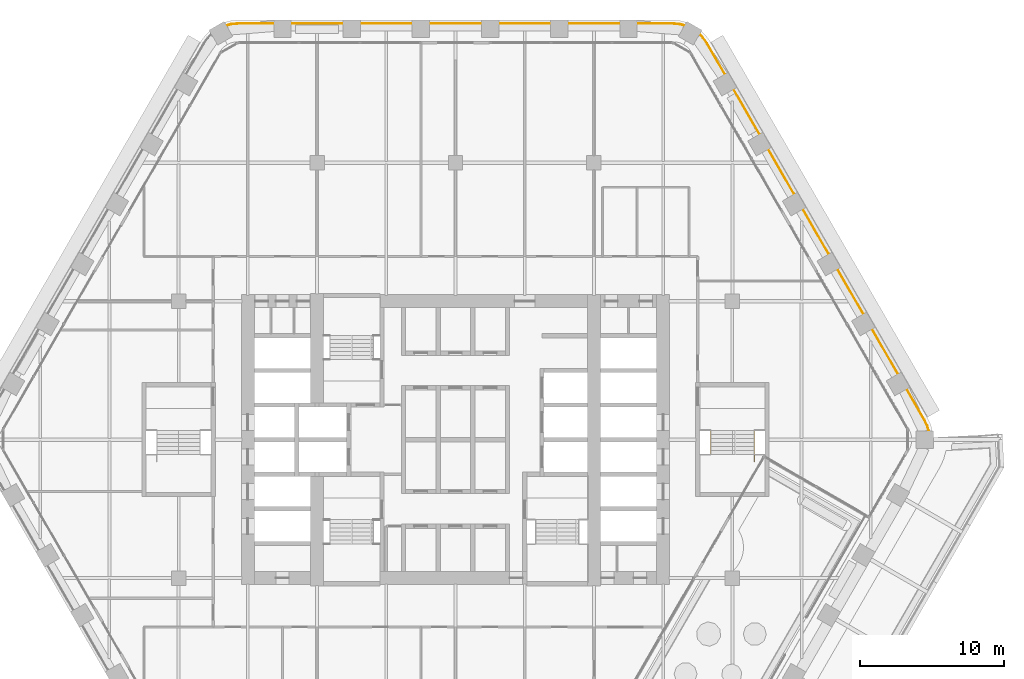
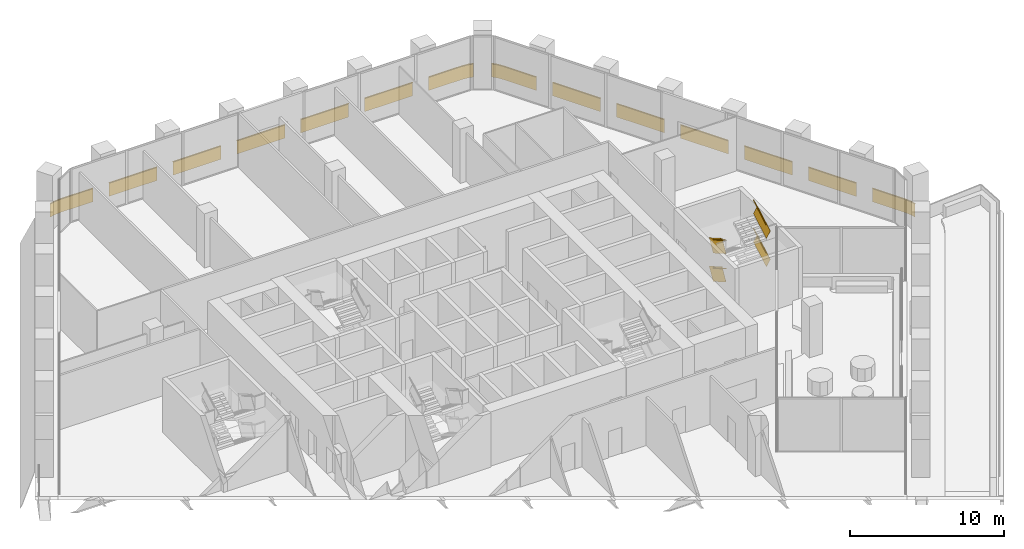
# One storey, part 25 of 25: 3 railings.
"""IFC4 building model written with IfcOpenShell, lengths in metres."""

from ifc_helpers import new_model, si_unit, direction, frame, frame_2d, origin, origin_2d, place, context, subcontext, project, spatial, rectangle, extrude, material, type_object, element, save


model = new_model("IFC4")

# Units and contexts
model_context = context("Model", 3, precision=1e-05, world=origin(), true_north=direction((0.0, 1.0)))
body_context = subcontext(model_context, "Body", "Model", "MODEL_VIEW")
ifc_project = project(units=[si_unit("LENGTHUNIT", "METRE"), si_unit("AREAUNIT", "SQUARE_METRE"), si_unit("VOLUMEUNIT", "CUBIC_METRE"), si_unit("PLANEANGLEUNIT", "RADIAN"), si_unit("MASSUNIT", "GRAM", prefix="KILO")], contexts=[model_context])

# Site, building, storey
site_placement = place(None, origin())
site = spatial("IfcSite", under=ifc_project, at=site_placement, CompositionType="ELEMENT")
building_placement = place(site_placement, origin())
building = spatial("IfcBuilding", under=site, at=building_placement, Name="Kolab Exchange Tower", CompositionType="ELEMENT")
storey_placement = place(building_placement, frame((0.0, 0.0, 91.39990234375)))
storey = spatial("IfcBuildingStorey", under=building, at=storey_placement, Name="L17", CompositionType="ELEMENT", Elevation=91.39990234375)

# Railings
ifc_material_1 = material(Name="Stainless steel 316", Category="steel")
railing_type_1 = type_object("IfcRailingType", Name="GUARD 1100", PredefinedType="GUARDRAIL", material=ifc_material_1)
railing_1_placement = place(storey_placement, frame((17.68994140625, 0.64990234375, 0.160888671875)))
element("IfcRailing", 1, at=railing_1_placement, inside=storey, type_object=railing_type_1, Name="Handrail guard ST4", PredefinedType="GUARDRAIL", context=body_context, shape_type="SweptSolid", body=[
    extrude(rectangle(XDim=0.05, YDim=0.05, at=origin_2d()), frame((0.0, 0.0, 1.0751953125), z_axis=(0.0, -0.867318599139, 0.497753400378), x_axis=(1.0, 0.0, 0.0)), (0.0, 0.0, 1.0), 1.93701171875),
    extrude(rectangle(XDim=0.012, YDim=1.05009765625, at=frame_2d((0.0, 0.525146484375))), frame((0.0, 0.0, 0.0), z_axis=(0.0, -0.867318599139, 0.497753400378), x_axis=(1.0, 0.0, 0.0)), (0.0, 0.0, 1.0), 1.93701171875),
    extrude(rectangle(XDim=0.05, YDim=0.05, at=origin_2d()), frame((3.02001953125, -1.679931640625, 2.2001953125), z_axis=(0.0, 0.867318599139, 0.497753400378), x_axis=(-1.0, 0.0, 0.0)), (0.0, 0.0, 1.0), 1.93701171875),
    extrude(rectangle(XDim=0.012, YDim=1.05009765625, at=frame_2d((0.0, 0.525146484375))), frame((3.02001953125, -1.679931640625, 1.125), z_axis=(0.0, 0.867318599139, 0.497753400378), x_axis=(-1.0, 0.0, 0.0)), (0.0, 0.0, 1.0), 1.93701171875),
    extrude(rectangle(XDim=0.05, YDim=0.05, at=origin_2d()), frame((0.0, 0.0, 3.3251953125), z_axis=(0.0, -0.867318599139, 0.497753400378), x_axis=(1.0, 0.0, 0.0)), (0.0, 0.0, 1.0), 1.93701171875),
    extrude(rectangle(XDim=0.012, YDim=1.05009765625, at=frame_2d((0.0, 0.525146484375))), frame((0.0, 0.0, 2.25), z_axis=(0.0, -0.867318599139, 0.497753400378), x_axis=(1.0, 0.0, 0.0)), (0.0, 0.0, 1.0), 1.93701171875),
    extrude(rectangle(XDim=0.05, YDim=0.05, at=origin_2d()), frame((3.02001953125, -1.679931640625, 4.4501953125), z_axis=(0.0, 0.867318599139, 0.497753400378), x_axis=(-1.0, 0.0, 0.0)), (0.0, 0.0, 1.0), 1.93701171875),
    extrude(rectangle(XDim=0.012, YDim=1.05009765625, at=frame_2d((0.0, 0.525146484375))), frame((3.02001953125, -1.679931640625, 3.375), z_axis=(0.0, 0.867318599139, 0.497753400378), x_axis=(-1.0, 0.0, 0.0)), (0.0, 0.0, 1.0), 1.93701171875),
])
ifc_material_2 = material(Name="Steel S235", Category="steel")
railing_type_2 = type_object("IfcRailingType", Name="GUARD 1100 GLASS BALUSTRADE AND STEEL TOP RAIL", PredefinedType="GUARDRAIL", material=ifc_material_2)
railing_2_placement = place(storey_placement, frame((15.89208984375, 28.7138671875, 0.0)))
element("IfcRailing", 2, at=railing_2_placement, inside=storey, type_object=railing_type_2, Name="Guard", PredefinedType="GUARDRAIL", context=body_context, shape_type="SweptSolid", body=[
    extrude(rectangle(XDim=0.05, YDim=0.05, at=origin_2d()), frame((0.0, 0.0, 1.0751953125), z_axis=(-0.966008746817, 0.258509382951, 0.0), x_axis=(-0.258509382951, -0.966008746817, 0.0)), (0.0, 0.0, 1.0), 0.35888671875),
    extrude(rectangle(XDim=0.012, YDim=1.05009765625, at=frame_2d((0.0, 0.525146484375))), frame((0.0, 0.0, 0.0), z_axis=(-0.966008746817, 0.258509382951, 0.0), x_axis=(-0.258509382951, -0.966008746817, 0.0)), (0.0, 0.0, 1.0), 0.35888671875),
    extrude(rectangle(XDim=0.05, YDim=0.05, at=origin_2d()), frame((-0.3466796875, 0.0927734375, 1.0751953125), z_axis=(-0.996200348447, 0.087091134757, 0.0), x_axis=(-0.087091134757, -0.996200348447, 0.0)), (0.0, 0.0, 1.0), 0.479248046875),
    extrude(rectangle(XDim=0.012, YDim=1.05009765625, at=frame_2d((0.0, 0.525146484375))), frame((-0.3466796875, 0.0927734375, 0.0), z_axis=(-0.996200348447, 0.087091134757, 0.0), x_axis=(-0.087091134757, -0.996200348447, 0.0)), (0.0, 0.0, 1.0), 0.479248046875),
    extrude(rectangle(XDim=0.05, YDim=0.05, at=origin_2d()), frame((-0.82421875, 0.134521484375, 1.0751953125), z_axis=(-1.0, 0.0, 0.0), x_axis=(0.0, -1.0, 0.0)), (0.0, 0.0, 1.0), 2.4677734375),
    extrude(rectangle(XDim=0.012, YDim=1.05009765625, at=frame_2d((0.0, 0.525146484375))), frame((-0.82421875, 0.134521484375, 0.0), z_axis=(-1.0, 0.0, 0.0), x_axis=(0.0, -1.0, 0.0)), (0.0, 0.0, 1.0), 2.4677734375),
    extrude(rectangle(XDim=0.05, YDim=0.05, at=origin_2d()), frame((-4.4921875, 0.134521484375, 1.0751953125), z_axis=(-1.0, 0.0, 0.0), x_axis=(0.0, -1.0, 0.0)), (0.0, 0.0, 1.0), 3.599853515625),
    extrude(rectangle(XDim=0.012, YDim=1.05009765625, at=frame_2d((0.0, 0.525146484375))), frame((-4.4921875, 0.134521484375, 0.0), z_axis=(-1.0, 0.0, 0.0), x_axis=(0.0, -1.0, 0.0)), (0.0, 0.0, 1.0), 3.599853515625),
    extrude(rectangle(XDim=0.05, YDim=0.05, at=origin_2d()), frame((-9.2919921875, 0.134521484375, 1.0751953125), z_axis=(-1.0, 0.0, 0.0), x_axis=(0.0, -1.0, 0.0)), (0.0, 0.0, 1.0), 3.60009765625),
    extrude(rectangle(XDim=0.012, YDim=1.05009765625, at=frame_2d((0.0, 0.525146484375))), frame((-9.2919921875, 0.134521484375, 0.0), z_axis=(-1.0, 0.0, 0.0), x_axis=(0.0, -1.0, 0.0)), (0.0, 0.0, 1.0), 3.60009765625),
    extrude(rectangle(XDim=0.05, YDim=0.05, at=origin_2d()), frame((-14.092041015625, 0.134521484375, 1.0751953125), z_axis=(-1.0, 0.0, 0.0), x_axis=(0.0, -1.0, 0.0)), (0.0, 0.0, 1.0), 3.60009765625),
    extrude(rectangle(XDim=0.012, YDim=1.05009765625, at=frame_2d((0.0, 0.525146484375))), frame((-14.092041015625, 0.134521484375, 0.0), z_axis=(-1.0, 0.0, 0.0), x_axis=(0.0, -1.0, 0.0)), (0.0, 0.0, 1.0), 3.60009765625),
    extrude(rectangle(XDim=0.05, YDim=0.05, at=origin_2d()), frame((-18.89208984375, 0.134521484375, 1.0751953125), z_axis=(-1.0, 0.0, 0.0), x_axis=(0.0, -1.0, 0.0)), (0.0, 0.0, 1.0), 3.60009765625),
    extrude(rectangle(XDim=0.012, YDim=1.05009765625, at=frame_2d((0.0, 0.525146484375))), frame((-18.89208984375, 0.134521484375, 0.0), z_axis=(-1.0, 0.0, 0.0), x_axis=(0.0, -1.0, 0.0)), (0.0, 0.0, 1.0), 3.60009765625),
    extrude(rectangle(XDim=0.05, YDim=0.05, at=origin_2d()), frame((-23.692138671875, 0.134521484375, 1.0751953125), z_axis=(-1.0, 0.0, 0.0), x_axis=(0.0, -1.0, 0.0)), (0.0, 0.0, 1.0), 3.599853515625),
    extrude(rectangle(XDim=0.012, YDim=1.05009765625, at=frame_2d((0.0, 0.525146484375))), frame((-23.692138671875, 0.134521484375, 0.0), z_axis=(-1.0, 0.0, 0.0), x_axis=(0.0, -1.0, 0.0)), (0.0, 0.0, 1.0), 3.599853515625),
    extrude(rectangle(XDim=0.05, YDim=0.05, at=origin_2d()), frame((-28.4921875, 0.134521484375, 1.0751953125), z_axis=(-1.0, 0.0, 0.0), x_axis=(0.0, -1.0, 0.0)), (0.0, 0.0, 1.0), 2.4677734375),
    extrude(rectangle(XDim=0.012, YDim=1.05009765625, at=frame_2d((0.0, 0.525146484375))), frame((-28.4921875, 0.134521484375, 0.0), z_axis=(-1.0, 0.0, 0.0), x_axis=(0.0, -1.0, 0.0)), (0.0, 0.0, 1.0), 2.4677734375),
    extrude(rectangle(XDim=0.05, YDim=0.05, at=origin_2d()), frame((-30.9599609375, 0.134521484375, 1.0751953125), z_axis=(-0.996200348447, -0.087091134757, 0.0), x_axis=(0.087091134757, -0.996200348447, 0.0)), (0.0, 0.0, 1.0), 0.479248046875),
    extrude(rectangle(XDim=0.012, YDim=1.05009765625, at=frame_2d((0.0, 0.525146484375))), frame((-30.9599609375, 0.134521484375, 0.0), z_axis=(-0.996200348447, -0.087091134757, 0.0), x_axis=(0.087091134757, -0.996200348447, 0.0)), (0.0, 0.0, 1.0), 0.479248046875),
    extrude(rectangle(XDim=0.05, YDim=0.05, at=origin_2d()), frame((-31.4375, 0.0927734375, 1.0751953125), z_axis=(-0.966008746817, -0.258509382951, 0.0), x_axis=(0.258509382951, -0.966008746817, 0.0)), (0.0, 0.0, 1.0), 0.35888671875),
    extrude(rectangle(XDim=0.012, YDim=1.05009765625, at=frame_2d((0.0, 0.525146484375))), frame((-31.4375, 0.0927734375, 0.0), z_axis=(-0.966008746817, -0.258509382951, 0.0), x_axis=(0.258509382951, -0.966008746817, 0.0)), (0.0, 0.0, 1.0), 0.35888671875),
])
railing_3_placement = place(storey_placement, frame((32.81298828125, 0.593994140625, 0.0)))
element("IfcRailing", 3, at=railing_3_placement, inside=storey, type_object=railing_type_2, Name="Guard", PredefinedType="GUARDRAIL", context=body_context, shape_type="SweptSolid", body=[
    extrude(rectangle(XDim=0.05, YDim=0.05, at=origin_2d()), frame((0.0, 0.0, 1.0751953125), z_axis=(-0.259144041577, 0.965838685141, 0.0), x_axis=(-0.965838685141, -0.259144041577, 0.0)), (0.0, 0.0, 1.0), 0.35888671875),
    extrude(rectangle(XDim=0.012, YDim=1.05009765625, at=frame_2d((0.0, 0.525146484375))), frame((0.0, 0.0, 0.0), z_axis=(-0.259144041577, 0.965838685141, 0.0), x_axis=(-0.965838685141, -0.259144041577, 0.0)), (0.0, 0.0, 1.0), 0.35888671875),
    extrude(rectangle(XDim=0.05, YDim=0.05, at=origin_2d()), frame((-0.093017578125, 0.3466796875, 1.0751953125), z_axis=(-0.422383329074, 0.906417300872, 0.0), x_axis=(-0.906417300872, -0.422383329074, 0.0)), (0.0, 0.0, 1.0), 0.479248046875),
    extrude(rectangle(XDim=0.012, YDim=1.05009765625, at=frame_2d((0.0, 0.525146484375))), frame((-0.093017578125, 0.3466796875, 0.0), z_axis=(-0.422383329074, 0.906417300872, 0.0), x_axis=(-0.906417300872, -0.422383329074, 0.0)), (0.0, 0.0, 1.0), 0.479248046875),
    extrude(rectangle(XDim=0.05, YDim=0.05, at=origin_2d()), frame((-0.29541015625, 0.781005859375, 1.0751953125), z_axis=(-0.500064973171, 0.865987888257, 0.0), x_axis=(-0.865987888257, -0.500064973171, 0.0)), (0.0, 0.0, 1.0), 2.468017578125),
    extrude(rectangle(XDim=0.012, YDim=1.05009765625, at=frame_2d((0.0, 0.525146484375))), frame((-0.29541015625, 0.781005859375, 0.0), z_axis=(-0.500064973171, 0.865987888257, 0.0), x_axis=(-0.865987888257, -0.500064973171, 0.0)), (0.0, 0.0, 1.0), 2.468017578125),
    extrude(rectangle(XDim=0.05, YDim=0.05, at=origin_2d()), frame((-2.12939453125, 3.95751953125, 1.0751953125), z_axis=(-0.500012057535, 0.866018442252, 0.0), x_axis=(-0.866018442252, -0.500012057535, 0.0)), (0.0, 0.0, 1.0), 3.60009765625),
    extrude(rectangle(XDim=0.012, YDim=1.05009765625, at=frame_2d((0.0, 0.525146484375))), frame((-2.12939453125, 3.95751953125, 0.0), z_axis=(-0.500012057535, 0.866018442252, 0.0), x_axis=(-0.866018442252, -0.500012057535, 0.0)), (0.0, 0.0, 1.0), 3.60009765625),
    extrude(rectangle(XDim=0.05, YDim=0.05, at=origin_2d()), frame((-4.529541015625, 8.114501953125, 1.0751953125), z_axis=(-0.500012057535, 0.866018442252, 0.0), x_axis=(-0.866018442252, -0.500012057535, 0.0)), (0.0, 0.0, 1.0), 3.60009765625),
    extrude(rectangle(XDim=0.012, YDim=1.05009765625, at=frame_2d((0.0, 0.525146484375))), frame((-4.529541015625, 8.114501953125, 0.0), z_axis=(-0.500012057535, 0.866018442252, 0.0), x_axis=(-0.866018442252, -0.500012057535, 0.0)), (0.0, 0.0, 1.0), 3.60009765625),
    extrude(rectangle(XDim=0.05, YDim=0.05, at=origin_2d()), frame((-6.929443359375, 12.271484375, 1.0751953125), z_axis=(-0.500012057535, 0.866018442252, 0.0), x_axis=(-0.866018442252, -0.500012057535, 0.0)), (0.0, 0.0, 1.0), 3.60009765625),
    extrude(rectangle(XDim=0.012, YDim=1.05009765625, at=frame_2d((0.0, 0.525146484375))), frame((-6.929443359375, 12.271484375, 0.0), z_axis=(-0.500012057535, 0.866018442252, 0.0), x_axis=(-0.866018442252, -0.500012057535, 0.0)), (0.0, 0.0, 1.0), 3.60009765625),
    extrude(rectangle(XDim=0.05, YDim=0.05, at=origin_2d()), frame((-9.32958984375, 16.42822265625, 1.0751953125), z_axis=(-0.499961193289, 0.866047807691, 0.0), x_axis=(-0.866047807691, -0.499961193289, 0.0)), (0.0, 0.0, 1.0), 3.599853515625),
    extrude(rectangle(XDim=0.012, YDim=1.05009765625, at=frame_2d((0.0, 0.525146484375))), frame((-9.32958984375, 16.42822265625, 0.0), z_axis=(-0.499961193289, 0.866047807691, 0.0), x_axis=(-0.866047807691, -0.499961193289, 0.0)), (0.0, 0.0, 1.0), 3.599853515625),
    extrude(rectangle(XDim=0.05, YDim=0.05, at=origin_2d()), frame((-11.7294921875, 20.585205078125, 1.0751953125), z_axis=(-0.500012057535, 0.866018442252, 0.0), x_axis=(-0.866018442252, -0.500012057535, 0.0)), (0.0, 0.0, 1.0), 3.60009765625),
    extrude(rectangle(XDim=0.012, YDim=1.05009765625, at=frame_2d((0.0, 0.525146484375))), frame((-11.7294921875, 20.585205078125, 0.0), z_axis=(-0.500012057535, 0.866018442252, 0.0), x_axis=(-0.866018442252, -0.500012057535, 0.0)), (0.0, 0.0, 1.0), 3.60009765625),
    extrude(rectangle(XDim=0.05, YDim=0.05, at=origin_2d()), frame((-14.12939453125, 24.7421875, 1.0751953125), z_axis=(-0.500064973171, 0.865987888257, 0.0), x_axis=(-0.865987888257, -0.500064973171, 0.0)), (0.0, 0.0, 1.0), 2.468017578125),
    extrude(rectangle(XDim=0.012, YDim=1.05009765625, at=frame_2d((0.0, 0.525146484375))), frame((-14.12939453125, 24.7421875, 0.0), z_axis=(-0.500064973171, 0.865987888257, 0.0), x_axis=(-0.865987888257, -0.500064973171, 0.0)), (0.0, 0.0, 1.0), 2.468017578125),
    extrude(rectangle(XDim=0.05, YDim=0.05, at=origin_2d()), frame((-15.363525390625, 26.87939453125, 1.0751953125), z_axis=(-0.573359816273, 0.819303680624, 0.0), x_axis=(-0.819303680624, -0.573359816273, 0.0)), (0.0, 0.0, 1.0), 0.4794921875),
    extrude(rectangle(XDim=0.012, YDim=1.05009765625, at=frame_2d((0.0, 0.525146484375))), frame((-15.363525390625, 26.87939453125, 0.0), z_axis=(-0.573359816273, 0.819303680624, 0.0), x_axis=(-0.819303680624, -0.573359816273, 0.0)), (0.0, 0.0, 1.0), 0.4794921875),
    extrude(rectangle(XDim=0.05, YDim=0.05, at=origin_2d()), frame((-15.638427734375, 27.272216796875, 1.0751953125), z_axis=(-0.707106781187, 0.707106781187, 0.0), x_axis=(-0.707106781187, -0.707106781187, 0.0)), (0.0, 0.0, 1.0), 0.358642578125),
    extrude(rectangle(XDim=0.012, YDim=1.05009765625, at=frame_2d((0.0, 0.525146484375))), frame((-15.638427734375, 27.272216796875, 0.0), z_axis=(-0.707106781187, 0.707106781187, 0.0), x_axis=(-0.707106781187, -0.707106781187, 0.0)), (0.0, 0.0, 1.0), 0.358642578125),
])

save(model, "model.ifc")
